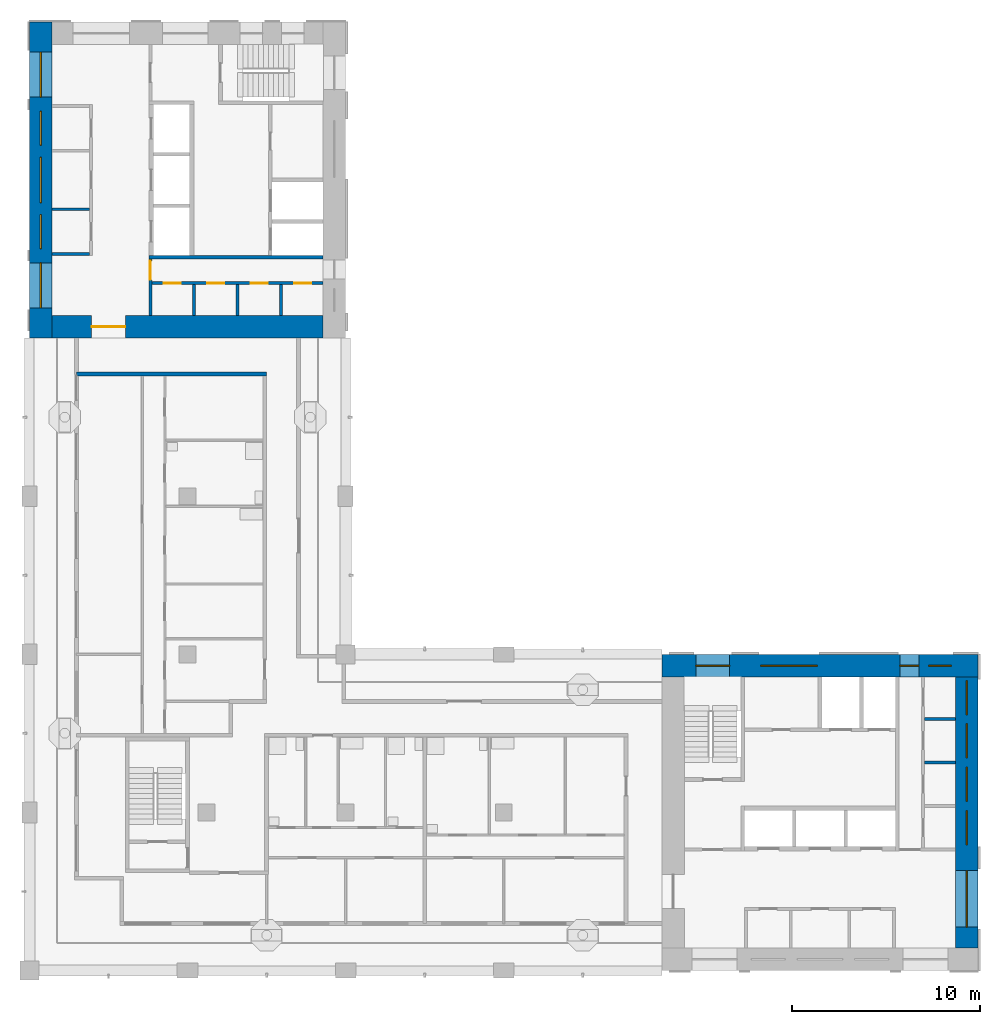
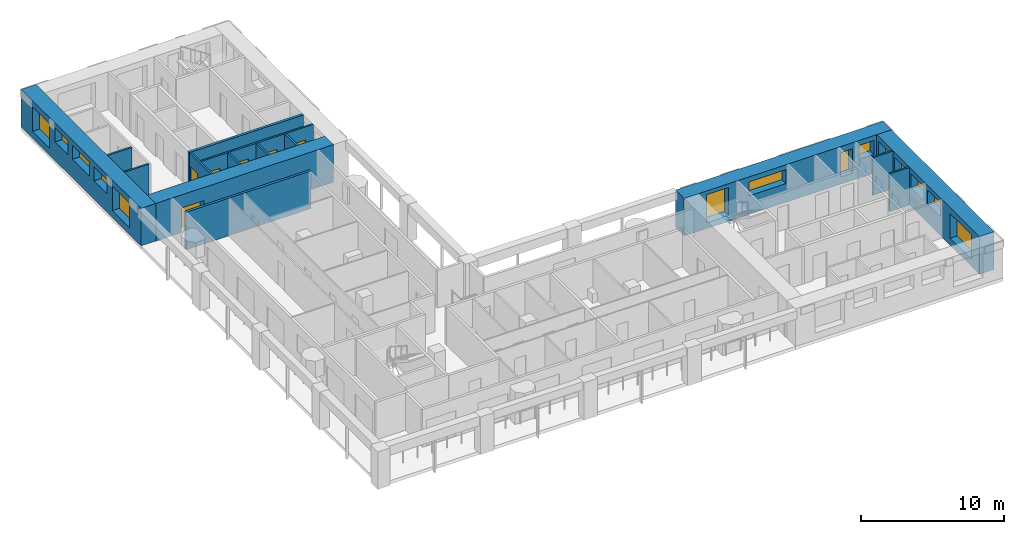
# One storey, part 5 of 12: 15 walls, 14 windows, 6 doors, 20 openings.
"""IFC4 building model written with IfcOpenShell, lengths in metres."""

from ifc_helpers import new_model, si_unit, direction, frame, frame_2d, origin, place, context, subcontext, project, spatial, rectangle, extrude, material, layer, layer_set, type_object, element, fill, save


model = new_model("IFC4")

# Units and contexts
model_context = context("Model", 3, precision=1e-05, world=origin(), true_north=direction((0.0, 1.0)))
body_context = subcontext(model_context, "Body", "Model", "MODEL_VIEW")
ifc_project = project(units=[si_unit("LENGTHUNIT", "METRE"), si_unit("AREAUNIT", "SQUARE_METRE"), si_unit("VOLUMEUNIT", "CUBIC_METRE"), si_unit("PLANEANGLEUNIT", "RADIAN"), si_unit("MASSUNIT", "GRAM", prefix="KILO")], contexts=[model_context])

# Site, building, storey
site_placement = place(None, origin())
site = spatial("IfcSite", under=ifc_project, at=site_placement, CompositionType="ELEMENT")
building_placement = place(site_placement, origin())
building = spatial("IfcBuilding", under=site, at=building_placement, Name="Vermilion Gate Residences", CompositionType="ELEMENT")
storey_placement = place(building_placement, frame((0.0, 0.0, 238.699951171875)))
storey = spatial("IfcBuildingStorey", under=building, at=storey_placement, Name="L62", CompositionType="ELEMENT", Elevation=238.699951171875)

# Walls
ifc_material_1 = material(Name="Masonry blockwork", Category="masonry")
ifc_layer_1 = layer(ifc_material_1, 0.14990234375)
ifc_layer_set_1 = layer_set([ifc_layer_1], Name="BLOCKWORK PARTITION 150 EI 120")
wall_type_1 = type_object("IfcWallType", Name="BLOCKWORK PARTITION 150 EI 120", PredefinedType="PARTITIONING", material=ifc_layer_set_1)
for number, where, z_axis, x_axis, name in (
    (1, (55.949951171875, 19.449951171875, 0.0), (0.0, 0.0, 1.0), (1.0, 0.0, 0.0), "Core room partition A62-ES-P1"),
    (2, (55.949951171875, 21.762451171875, 0.0), (0.0, 0.0, 1.0), (1.0, 0.0, 0.0), "Core room partition A62-ES-P2"),
):
    element("IfcWall", number, at=place(storey_placement, frame(where, z_axis=z_axis, x_axis=x_axis)), inside=storey, type_object=wall_type_1, Name=name, PredefinedType="PARTITIONING", context=body_context, shape_type="SweptSolid", body=[
        extrude(rectangle(XDim=1.650146484375, YDim=0.14990234375, at=frame_2d((0.8251953125, 0.0))), origin(), (0.0, 0.0, 1.0), 3.219970703125),
    ])
for number, where, z_axis, x_axis, name in (
    (3, (9.60009765625, 46.47509765625, 0.0), (0.0, 0.0, 1.0), (1.0, 0.0, 0.0), "Core room partition B62-RW-E"),
    (4, (9.60009765625, 48.844970703125, 0.0), (0.0, 0.0, 1.0), (1.0, 0.0, 0.0), "Core room partition B62-SR-P1"),
):
    element("IfcWall", number, at=place(storey_placement, frame(where, z_axis=z_axis, x_axis=x_axis)), inside=storey, type_object=wall_type_1, Name=name, PredefinedType="PARTITIONING", context=body_context, shape_type="SweptSolid", body=[
        extrude(rectangle(XDim=2.0, YDim=0.14990234375, at=frame_2d((1.0, 0.0))), origin(), (0.0, 0.0, 1.0), 3.219970703125),
    ])

# Wall, opening, door
wall_1_placement = place(storey_placement, frame((14.824951171875, 46.199951171875, 0.0), z_axis=(0.0, 0.0, 1.0), x_axis=(0.0, -1.0, 0.0)))
wall_1 = element("IfcWall", 5, at=wall_1_placement, inside=storey, type_object=wall_type_1, Name="Core room partition B62-ES-S", PredefinedType="PARTITIONING", context=body_context, shape_type="SweptSolid", body=[
    extrude(rectangle(XDim=3.0, YDim=0.14990234375, at=frame_2d((1.5, 0.0))), origin(), (0.0, 0.0, 1.0), 3.219970703125),
])
opening_1_placement = place(wall_1_placement, frame((0.10009765625, 0.0, 0.0)))
opening_1 = element("IfcOpeningElement", 6, at=opening_1_placement, cuts=wall_1, Name="Opening DK62113", PredefinedType="OPENING", context=body_context, shape_type="SweptSolid", body=[
    extrude(rectangle(XDim=1.0, YDim=2.10009765625, at=frame_2d((0.5, 1.050048828125))), frame((0.0, 0.0849609375, 0.0), z_axis=(0.0, -1.0, 0.0), x_axis=(1.0, 0.0, 0.0)), (0.0, 0.0, 1.0), 0.169921875),
])
ifc_material_2 = material(Name="Steel", Category="steel")
door_type_1 = type_object("IfcDoorType", Name="FIRE DOOR FD60 1000 X 2100", OperationType="SINGLE_SWING_LEFT", PredefinedType="DOOR", material=ifc_material_2)
door_1_placement = place(opening_1_placement, frame((1.0, 0.0, 0.0), z_axis=(0.0, 0.0, 1.0), x_axis=(-1.0, 0.0, 0.0)))
door_1 = element("IfcDoor", 7, at=door_1_placement, inside=storey, type_object=door_type_1, Name="Service corridor door B62", OperationType="SINGLE_SWING_LEFT", OverallHeight=2.10009765625, OverallWidth=1.0, PredefinedType="DOOR", context=body_context, shape_type="SweptSolid", body=[
    extrude(rectangle(XDim=1.0, YDim=2.10009765625, at=frame_2d((0.5, 1.050048828125))), frame((0.0, 0.02490234375, 0.0), z_axis=(0.0, -1.0, 0.0), x_axis=(1.0, 0.0, 0.0)), (0.0, 0.0, 1.0), 0.050048828125),
])
fill(opening_1, door_1)

# Walls
for number, where, z_axis, x_axis, name in (
    (8, (17.137451171875, 44.85009765625, 0.0), (0.0, 0.0, 1.0), (0.0, -1.0, 0.0), "Core room partition B62-ES-P0"),
    (9, (19.449951171875, 44.85009765625, 0.0), (0.0, 0.0, 1.0), (0.0, -1.0, 0.0), "Core room partition B62-ES-P1"),
    (10, (21.762451171875, 44.85009765625, 0.0), (0.0, 0.0, 1.0), (0.0, -1.0, 0.0), "Core room partition B62-ES-P2"),
):
    element("IfcWall", number, at=place(storey_placement, frame(where, z_axis=z_axis, x_axis=x_axis)), inside=storey, type_object=wall_type_1, Name=name, PredefinedType="PARTITIONING", context=body_context, shape_type="SweptSolid", body=[
        extrude(rectangle(XDim=1.650146484375, YDim=0.14990234375, at=frame_2d((0.8251953125, 0.0))), origin(), (0.0, 0.0, 1.0), 3.219970703125),
    ])

# Wall, openings, doors
wall_2_placement = place(storey_placement, frame((14.89990234375, 44.925048828125, 0.0), z_axis=(0.0, 0.0, 1.0), x_axis=(1.0, 0.0, 0.0)))
wall_2 = element("IfcWall", 11, at=wall_2_placement, inside=storey, type_object=wall_type_1, Name="Core room partition B62-ES-W", PredefinedType="PARTITIONING", context=body_context, shape_type="SweptSolid", body=[
    extrude(rectangle(XDim=9.10009765625, YDim=0.14990234375, at=frame_2d((4.550048828125, 0.0))), origin(), (0.0, 0.0, 1.0), 3.219970703125),
])
opening_2_placement = place(wall_2_placement, frame((0.63134765625, 0.0, 0.0)))
opening_2 = element("IfcOpeningElement", 12, at=opening_2_placement, cuts=wall_2, Name="Opening DK62114", PredefinedType="OPENING", context=body_context, shape_type="SweptSolid", body=[
    extrude(rectangle(XDim=0.89990234375, YDim=2.10009765625, at=frame_2d((0.449951171875, 1.050048828125))), frame((0.0, 0.0849609375, 0.0), z_axis=(0.0, -1.0, 0.0), x_axis=(1.0, 0.0, 0.0)), (0.0, 0.0, 1.0), 0.169921875),
])
opening_3_placement = place(wall_2_placement, frame((2.94384765625, 0.0, 0.0)))
opening_3 = element("IfcOpeningElement", 13, at=opening_3_placement, cuts=wall_2, Name="Opening DK62115", PredefinedType="OPENING", context=body_context, shape_type="SweptSolid", body=[
    extrude(rectangle(XDim=0.89990234375, YDim=2.10009765625, at=frame_2d((0.449951171875, 1.050048828125))), frame((0.0, 0.0849609375, 0.0), z_axis=(0.0, -1.0, 0.0), x_axis=(1.0, 0.0, 0.0)), (0.0, 0.0, 1.0), 0.169921875),
])
opening_4_placement = place(wall_2_placement, frame((5.25634765625, 0.0, 0.0)))
opening_4 = element("IfcOpeningElement", 14, at=opening_4_placement, cuts=wall_2, Name="Opening DK62116", PredefinedType="OPENING", context=body_context, shape_type="SweptSolid", body=[
    extrude(rectangle(XDim=0.89990234375, YDim=2.10009765625, at=frame_2d((0.449951171875, 1.050048828125))), frame((0.0, 0.0849609375, 0.0), z_axis=(0.0, -1.0, 0.0), x_axis=(1.0, 0.0, 0.0)), (0.0, 0.0, 1.0), 0.169921875),
])
opening_5_placement = place(wall_2_placement, frame((7.56884765625, 0.0, 0.0)))
opening_5 = element("IfcOpeningElement", 15, at=opening_5_placement, cuts=wall_2, Name="Opening DK62117", PredefinedType="OPENING", context=body_context, shape_type="SweptSolid", body=[
    extrude(rectangle(XDim=0.89990234375, YDim=2.10009765625, at=frame_2d((0.449951171875, 1.050048828125))), frame((0.0, 0.0849609375, 0.0), z_axis=(0.0, -1.0, 0.0), x_axis=(1.0, 0.0, 0.0)), (0.0, 0.0, 1.0), 0.169921875),
])
ifc_material_3 = material(Name="Steel", Category="steel")
door_type_2 = type_object("IfcDoorType", Name="SERVICE ROOM DOOR FD60 900 X 2100", OperationType="SINGLE_SWING_LEFT", PredefinedType="DOOR", material=ifc_material_3)
door_2_placement = place(opening_2_placement, frame((0.89990234375, 0.0, 0.0), z_axis=(0.0, 0.0, 1.0), x_axis=(-1.0, 0.0, 0.0)))
door_2 = element("IfcDoor", 16, at=door_2_placement, inside=storey, type_object=door_type_2, Name="Storage room B62", OperationType="SINGLE_SWING_RIGHT", OverallHeight=2.10009765625, OverallWidth=0.89990234375, PredefinedType="DOOR", context=body_context, shape_type="SweptSolid", body=[
    extrude(rectangle(XDim=0.89990234375, YDim=2.10009765625, at=frame_2d((0.449951171875, 1.050048828125))), frame((0.0, 0.02490234375, 0.0), z_axis=(0.0, -1.0, 0.0), x_axis=(1.0, 0.0, 0.0)), (0.0, 0.0, 1.0), 0.050048828125),
])
fill(opening_2, door_2)
door_3_placement = place(opening_3_placement, frame((0.89990234375, 0.0, 0.0), z_axis=(0.0, 0.0, 1.0), x_axis=(-1.0, 0.0, 0.0)))
door_3 = element("IfcDoor", 17, at=door_3_placement, inside=storey, type_object=door_type_2, Name="Refuse room B62", OperationType="SINGLE_SWING_RIGHT", OverallHeight=2.10009765625, OverallWidth=0.89990234375, PredefinedType="DOOR", context=body_context, shape_type="SweptSolid", body=[
    extrude(rectangle(XDim=0.89990234375, YDim=2.10009765625, at=frame_2d((0.449951171875, 1.050048828125))), frame((0.0, 0.02490234375, 0.0), z_axis=(0.0, -1.0, 0.0), x_axis=(1.0, 0.0, 0.0)), (0.0, 0.0, 1.0), 0.050048828125),
])
fill(opening_3, door_3)
door_4_placement = place(opening_4_placement, frame((0.89990234375, 0.0, 0.0), z_axis=(0.0, 0.0, 1.0), x_axis=(-1.0, 0.0, 0.0)))
door_4 = element("IfcDoor", 18, at=door_4_placement, inside=storey, type_object=door_type_2, Name="Parcel room B62", OperationType="SINGLE_SWING_RIGHT", OverallHeight=2.10009765625, OverallWidth=0.89990234375, PredefinedType="DOOR", context=body_context, shape_type="SweptSolid", body=[
    extrude(rectangle(XDim=0.89990234375, YDim=2.10009765625, at=frame_2d((0.449951171875, 1.050048828125))), frame((0.0, 0.02490234375, 0.0), z_axis=(0.0, -1.0, 0.0), x_axis=(1.0, 0.0, 0.0)), (0.0, 0.0, 1.0), 0.050048828125),
])
fill(opening_4, door_4)
door_5_placement = place(opening_5_placement, frame((0.89990234375, 0.0, 0.0), z_axis=(0.0, 0.0, 1.0), x_axis=(-1.0, 0.0, 0.0)))
door_5 = element("IfcDoor", 19, at=door_5_placement, inside=storey, type_object=door_type_2, Name="Cleaner's store B62", OperationType="SINGLE_SWING_RIGHT", OverallHeight=2.10009765625, OverallWidth=0.89990234375, PredefinedType="DOOR", context=body_context, shape_type="SweptSolid", body=[
    extrude(rectangle(XDim=0.89990234375, YDim=2.10009765625, at=frame_2d((0.449951171875, 1.050048828125))), frame((0.0, 0.02490234375, 0.0), z_axis=(0.0, -1.0, 0.0), x_axis=(1.0, 0.0, 0.0)), (0.0, 0.0, 1.0), 0.050048828125),
])
fill(opening_5, door_5)

# Walls
ifc_material_4 = material(Name="Fire-rated plasterboard on steel studs", Category="steel")
ifc_layer_2 = layer(ifc_material_4, 0.199951171875)
ifc_layer_set_2 = layer_set([ifc_layer_2], Name="PARTY WALL 200 EI 120")
wall_type_2 = type_object("IfcWallType", Name="PARTY WALL 200 EI 120", PredefinedType="PARTITIONING", material=ifc_layer_set_2)
wall_3_placement = place(storey_placement, frame((10.89990234375, 40.10009765625, 0.0), z_axis=(0.0, 0.0, 1.0), x_axis=(1.0, 0.0, 0.0)))
element("IfcWall", 20, at=wall_3_placement, inside=storey, type_object=wall_type_2, Name="Party and corridor wall", PredefinedType="PARTITIONING", context=body_context, shape_type="SweptSolid", body=[
    extrude(rectangle(XDim=10.10009765625, YDim=0.199951171875, at=frame_2d((5.050048828125, 0.0))), origin(), (0.0, 0.0, 1.0), 3.219970703125),
])
ifc_material_5 = material(Name="Concrete C60", Category="concrete")
ifc_layer_3 = layer(ifc_material_5, 0.199951171875)
ifc_layer_set_3 = layer_set([ifc_layer_3], Name="RC CORE INTERNAL WALL 200 C60")
wall_type_3 = type_object("IfcWallType", Name="RC CORE INTERNAL WALL 200 C60", PredefinedType="SHEAR", material=ifc_layer_set_3)
wall_4_placement = place(storey_placement, frame((14.75, 46.300048828125, 0.0), z_axis=(0.0, 0.0, 1.0), x_axis=(1.0, 0.0, 0.0)))
element("IfcWall", 21, at=wall_4_placement, inside=storey, type_object=wall_type_3, Name="Core internal wall B62-EDIV", PredefinedType="SHEAR", context=body_context, shape_type="SweptSolid", body=[
    extrude(rectangle(XDim=9.25, YDim=0.199951171875, at=frame_2d((4.625, 0.0))), origin(), (0.0, 0.0, 1.0), 3.219970703125),
])

# Wall, opening, door
ifc_material_6 = material(Name="Concrete C50", Category="concrete")
ifc_layer_4 = layer(ifc_material_6, 1.199951171875)
ifc_layer_set_4 = layer_set([ifc_layer_4], Name="RC CORE WALL 1200 C50")
wall_type_4 = type_object("IfcWallType", Name="RC CORE WALL 1200 C50", PredefinedType="SHEAR", material=ifc_layer_set_4)
wall_5_placement = place(storey_placement, frame((9.60009765625, 42.60009765625, 0.0), z_axis=(0.0, 0.0, 1.0), x_axis=(1.0, 0.0, 0.0)))
wall_5 = element("IfcWall", 22, at=wall_5_placement, inside=storey, type_object=wall_type_4, Name="Core wall B62-OUT-BK", PredefinedType="SHEAR", context=body_context, shape_type="SweptSolid", body=[
    extrude(rectangle(XDim=14.39990234375, YDim=1.199951171875, at=frame_2d((7.199951171875, 0.0))), origin(), (0.0, 0.0, 1.0), 3.219970703125),
])
opening_6_placement = place(wall_5_placement, frame((2.10009765625, 0.0, 0.0)))
opening_6 = element("IfcOpeningElement", 23, at=opening_6_placement, cuts=wall_5, Name="Opening DK62101", PredefinedType="OPENING", context=body_context, shape_type="SweptSolid", body=[
    extrude(rectangle(XDim=1.800048828125, YDim=2.10009765625, at=frame_2d((0.89990234375, 1.050048828125))), frame((0.0, 0.60986328125, 0.0), z_axis=(0.0, -1.0, 0.0), x_axis=(1.0, 0.0, 0.0)), (0.0, 0.0, 1.0), 1.219970703125),
])
ifc_material_7 = material(Name="Steel", Category="steel")
door_type_3 = type_object("IfcDoorType", Name="CORE LOBBY DOOR FD60 1800 X 2100", OperationType="DOUBLE_DOOR_SINGLE_SWING", PredefinedType="DOOR", material=ifc_material_7)
door_6_placement = place(opening_6_placement, frame((1.800048828125, 0.0, 0.0), z_axis=(0.0, 0.0, 1.0), x_axis=(-1.0, 0.0, 0.0)))
door_6 = element("IfcDoor", 24, at=door_6_placement, inside=storey, type_object=door_type_3, Name="Core lobby door B62", OperationType="DOUBLE_DOOR_SINGLE_SWING", OverallHeight=2.10009765625, OverallWidth=1.800048828125, PredefinedType="DOOR", context=body_context, shape_type="SweptSolid", body=[
    extrude(rectangle(XDim=1.800048828125, YDim=2.10009765625, at=frame_2d((0.89990234375, 1.050048828125))), frame((0.0, 0.02490234375, 0.0), z_axis=(0.0, -1.0, 0.0), x_axis=(1.0, 0.0, 0.0)), (0.0, 0.0, 1.0), 0.050048828125),
])
fill(opening_6, door_6)

# Wall, openings, windows
ifc_material_8 = material(Name="Concrete C50 red-oxide pigmented", Category="concrete")
ifc_layer_5 = layer(ifc_material_8, 1.199951171875)
ifc_layer_set_5 = layer_set([ifc_layer_5], Name="RC CORE WALL 1200 C50 RED OXIDE")
wall_type_5 = type_object("IfcWallType", Name="RC CORE WALL 1200 C50 RED OXIDE", PredefinedType="SHEAR", material=ifc_layer_set_5)
wall_6_placement = place(storey_placement, frame((42.0, 24.60009765625, 0.0), z_axis=(0.0, 0.0, 1.0), x_axis=(1.0, 0.0, 0.0)))
wall_6 = element("IfcWall", 25, at=wall_6_placement, inside=storey, type_object=wall_type_5, Name="Core wall A62-OUT-B1", PredefinedType="SHEAR", context=body_context, shape_type="SweptSolid", body=[
    extrude(rectangle(XDim=16.800048828125, YDim=1.199951171875, at=frame_2d((8.39990234375, 0.0))), origin(), (0.0, 0.0, 1.0), 3.219970703125),
])
opening_7_placement = place(wall_6_placement, frame((1.800048828125, 0.0, 0.5)))
opening_7 = element("IfcOpeningElement", 26, at=opening_7_placement, cuts=wall_6, Name="Opening WKA6206", PredefinedType="OPENING", context=body_context, shape_type="SweptSolid", body=[
    extrude(rectangle(XDim=1.800048828125, YDim=2.39990234375, at=frame_2d((0.89990234375, 1.199951171875))), frame((0.0, 0.60986328125, 0.0), z_axis=(0.0, -1.0, 0.0), x_axis=(1.0, 0.0, 0.0)), (0.0, 0.0, 1.0), 1.219970703125),
])
opening_8_placement = place(wall_6_placement, frame((5.25, 0.0, 1.60009765625)))
opening_8 = element("IfcOpeningElement", 27, at=opening_8_placement, cuts=wall_6, Name="Opening WKA6207", PredefinedType="OPENING", context=body_context, shape_type="SweptSolid", body=[
    extrude(rectangle(XDim=3.0, YDim=1.199951171875, at=frame_2d((1.5, 0.60009765625))), frame((0.0, 0.60986328125, 0.0), z_axis=(0.0, -1.0, 0.0), x_axis=(1.0, 0.0, 0.0)), (0.0, 0.0, 1.0), 1.219970703125),
])
opening_9_placement = place(wall_6_placement, frame((12.64990234375, 0.0, 0.60009765625)))
opening_9 = element("IfcOpeningElement", 28, at=opening_9_placement, cuts=wall_6, Name="Opening WKA6208", PredefinedType="OPENING", context=body_context, shape_type="SweptSolid", body=[
    extrude(rectangle(XDim=1.0, YDim=2.10009765625, at=frame_2d((0.5, 1.050048828125))), frame((0.0, 0.60986328125, 0.0), z_axis=(0.0, -1.0, 0.0), x_axis=(1.0, 0.0, 0.0)), (0.0, 0.0, 1.0), 1.219970703125),
])
opening_10_placement = place(wall_6_placement, frame((14.175048828125, 0.0, 1.60009765625)))
opening_10 = element("IfcOpeningElement", 29, at=opening_10_placement, cuts=wall_6, Name="Opening WKA6209", PredefinedType="OPENING", context=body_context, shape_type="SweptSolid", body=[
    extrude(rectangle(XDim=1.199951171875, YDim=1.199951171875, at=frame_2d((0.60009765625, 0.60009765625))), frame((0.0, 0.60986328125, 0.0), z_axis=(0.0, -1.0, 0.0), x_axis=(1.0, 0.0, 0.0)), (0.0, 0.0, 1.0), 1.219970703125),
])
ifc_material_9 = material(Name="Aluminium and clear glass", Category="aluminium")
window_type_1 = type_object("IfcWindowType", Name="CORE CORRIDOR WINDOW 1000 X 2100", PartitioningType="SINGLE_PANEL", PredefinedType="WINDOW", material=ifc_material_9)
window_1_placement = place(opening_9_placement, origin())
window_1 = element("IfcWindow", 30, at=window_1_placement, inside=storey, type_object=window_type_1, Name="Core corridor window", OverallHeight=2.10009765625, OverallWidth=1.0, PartitioningType="SINGLE_PANEL", PredefinedType="WINDOW", context=body_context, shape_type="SweptSolid", body=[
    extrude(rectangle(XDim=1.0, YDim=2.10009765625, at=frame_2d((0.5, 1.050048828125))), frame((0.0, 0.030029296875, 0.0), z_axis=(0.0, -1.0, 0.0), x_axis=(1.0, 0.0, 0.0)), (0.0, 0.0, 1.0), 0.06005859375),
])
fill(opening_9, window_1)
ifc_material_10 = material(Name="Aluminium frame with louvre blades", Category="aluminium")
window_type_2 = type_object("IfcWindowType", Name="CORE LOUVRE 1200 X 1200", PartitioningType="SINGLE_PANEL", PredefinedType="WINDOW", material=ifc_material_10)
window_2_placement = place(opening_10_placement, origin())
window_2 = element("IfcWindow", 31, at=window_2_placement, inside=storey, type_object=window_type_2, Name="Core louvre", OverallHeight=1.199951171875, OverallWidth=1.199951171875, PartitioningType="SINGLE_PANEL", PredefinedType="WINDOW", context=body_context, shape_type="SweptSolid", body=[
    extrude(rectangle(XDim=1.199951171875, YDim=1.199951171875, at=frame_2d((0.60009765625, 0.60009765625))), frame((0.0, 0.030029296875, 0.0), z_axis=(0.0, -1.0, 0.0), x_axis=(1.0, 0.0, 0.0)), (0.0, 0.0, 1.0), 0.06005859375),
])
fill(opening_10, window_2)
ifc_material_11 = material(Name="Aluminium frame with louvre blades", Category="aluminium")
window_type_3 = type_object("IfcWindowType", Name="CORE LOUVRE 3000 X 1200", PartitioningType="SINGLE_PANEL", PredefinedType="WINDOW", material=ifc_material_11)
window_3_placement = place(opening_8_placement, origin())
window_3 = element("IfcWindow", 32, at=window_3_placement, inside=storey, type_object=window_type_3, Name="Core louvre", OverallHeight=1.199951171875, OverallWidth=3.0, PartitioningType="SINGLE_PANEL", PredefinedType="WINDOW", context=body_context, shape_type="SweptSolid", body=[
    extrude(rectangle(XDim=3.0, YDim=1.199951171875, at=frame_2d((1.5, 0.60009765625))), frame((0.0, 0.030029296875, 0.0), z_axis=(0.0, -1.0, 0.0), x_axis=(1.0, 0.0, 0.0)), (0.0, 0.0, 1.0), 0.06005859375),
])
fill(opening_8, window_3)
ifc_material_12 = material(Name="Aluminium and clear glass", Category="aluminium")
window_type_4 = type_object("IfcWindowType", Name="CORE STAIR WINDOW 1800 X 2400", PartitioningType="SINGLE_PANEL", PredefinedType="WINDOW", material=ifc_material_12)
window_4_placement = place(opening_7_placement, origin())
window_4 = element("IfcWindow", 33, at=window_4_placement, inside=storey, type_object=window_type_4, Name="Core stair window", OverallHeight=2.39990234375, OverallWidth=1.800048828125, PartitioningType="SINGLE_PANEL", PredefinedType="WINDOW", context=body_context, shape_type="SweptSolid", body=[
    extrude(rectangle(XDim=1.800048828125, YDim=2.39990234375, at=frame_2d((0.89990234375, 1.199951171875))), frame((0.0, 0.030029296875, 0.0), z_axis=(0.0, -1.0, 0.0), x_axis=(1.0, 0.0, 0.0)), (0.0, 0.0, 1.0), 0.06005859375),
])
fill(opening_7, window_4)

wall_7_placement = place(storey_placement, frame((58.199951171875, 9.60009765625, 0.0), z_axis=(0.0, 0.0, 1.0), x_axis=(0.0, 1.0, 0.0)))
wall_7 = element("IfcWall", 34, at=wall_7_placement, inside=storey, type_object=wall_type_5, Name="Core wall A62-OUT-BK", PredefinedType="SHEAR", context=body_context, shape_type="SweptSolid", body=[
    extrude(rectangle(XDim=14.39990234375, YDim=1.199951171875, at=frame_2d((7.199951171875, 0.0))), origin(), (0.0, 0.0, 1.0), 3.219970703125),
])
opening_11_placement = place(wall_7_placement, frame((1.10498046875, 0.0, 0.60009765625)))
opening_11 = element("IfcOpeningElement", 35, at=opening_11_placement, cuts=wall_7, Name="Opening WKA6210", PredefinedType="OPENING", context=body_context, shape_type="SweptSolid", body=[
    extrude(rectangle(XDim=3.0, YDim=2.10009765625, at=frame_2d((1.5, 1.050048828125))), frame((0.0, 0.60986328125, 0.0), z_axis=(0.0, -1.0, 0.0), x_axis=(1.0, 0.0, 0.0)), (0.0, 0.0, 1.0), 1.219970703125),
])
opening_12_placement = place(wall_7_placement, frame((5.481201171875, 0.0, 1.60009765625)))
opening_12 = element("IfcOpeningElement", 36, at=opening_12_placement, cuts=wall_7, Name="Opening WKA6211", PredefinedType="OPENING", context=body_context, shape_type="SweptSolid", body=[
    extrude(rectangle(XDim=1.800048828125, YDim=1.199951171875, at=frame_2d((0.89990234375, 0.60009765625))), frame((0.0, 0.60986328125, 0.0), z_axis=(0.0, -1.0, 0.0), x_axis=(1.0, 0.0, 0.0)), (0.0, 0.0, 1.0), 1.219970703125),
])
opening_13_placement = place(wall_7_placement, frame((7.793701171875, 0.0, 1.60009765625)))
opening_13 = element("IfcOpeningElement", 37, at=opening_13_placement, cuts=wall_7, Name="Opening WKA6212", PredefinedType="OPENING", context=body_context, shape_type="SweptSolid", body=[
    extrude(rectangle(XDim=1.800048828125, YDim=1.199951171875, at=frame_2d((0.89990234375, 0.60009765625))), frame((0.0, 0.60986328125, 0.0), z_axis=(0.0, -1.0, 0.0), x_axis=(1.0, 0.0, 0.0)), (0.0, 0.0, 1.0), 1.219970703125),
])
opening_14_placement = place(wall_7_placement, frame((10.106201171875, 0.0, 1.60009765625)))
opening_14 = element("IfcOpeningElement", 38, at=opening_14_placement, cuts=wall_7, Name="Opening WKA6213", PredefinedType="OPENING", context=body_context, shape_type="SweptSolid", body=[
    extrude(rectangle(XDim=1.800048828125, YDim=1.199951171875, at=frame_2d((0.89990234375, 0.60009765625))), frame((0.0, 0.60986328125, 0.0), z_axis=(0.0, -1.0, 0.0), x_axis=(1.0, 0.0, 0.0)), (0.0, 0.0, 1.0), 1.219970703125),
])
opening_15_placement = place(wall_7_placement, frame((12.388916015625, 0.0, 1.60009765625)))
opening_15 = element("IfcOpeningElement", 39, at=opening_15_placement, cuts=wall_7, Name="Opening WKA6214", PredefinedType="OPENING", context=body_context, shape_type="SweptSolid", body=[
    extrude(rectangle(XDim=1.800048828125, YDim=1.199951171875, at=frame_2d((0.89990234375, 0.60009765625))), frame((0.0, 0.60986328125, 0.0), z_axis=(0.0, -1.0, 0.0), x_axis=(1.0, 0.0, 0.0)), (0.0, 0.0, 1.0), 1.219970703125),
])
ifc_material_13 = material(Name="Aluminium and clear glass", Category="aluminium")
window_type_5 = type_object("IfcWindowType", Name="CORE LOBBY WINDOW 3000 X 2100", PartitioningType="SINGLE_PANEL", PredefinedType="WINDOW", material=ifc_material_13)
window_5_placement = place(opening_11_placement, origin())
window_5 = element("IfcWindow", 40, at=window_5_placement, inside=storey, type_object=window_type_5, Name="Core lobby window", OverallHeight=2.10009765625, OverallWidth=3.0, PartitioningType="SINGLE_PANEL", PredefinedType="WINDOW", context=body_context, shape_type="SweptSolid", body=[
    extrude(rectangle(XDim=3.0, YDim=2.10009765625, at=frame_2d((1.5, 1.050048828125))), frame((0.0, 0.030029296875, 0.0), z_axis=(0.0, -1.0, 0.0), x_axis=(1.0, 0.0, 0.0)), (0.0, 0.0, 1.0), 0.06005859375),
])
fill(opening_11, window_5)
ifc_material_14 = material(Name="Aluminium frame with louvre blades", Category="aluminium")
window_type_6 = type_object("IfcWindowType", Name="CORE LOUVRE 1800 X 1200", PartitioningType="SINGLE_PANEL", PredefinedType="WINDOW", material=ifc_material_14)
window_6_placement = place(opening_12_placement, origin())
window_6 = element("IfcWindow", 41, at=window_6_placement, inside=storey, type_object=window_type_6, Name="Core louvre", OverallHeight=1.199951171875, OverallWidth=1.800048828125, PartitioningType="SINGLE_PANEL", PredefinedType="WINDOW", context=body_context, shape_type="SweptSolid", body=[
    extrude(rectangle(XDim=1.800048828125, YDim=1.199951171875, at=frame_2d((0.89990234375, 0.60009765625))), frame((0.0, 0.030029296875, 0.0), z_axis=(0.0, -1.0, 0.0), x_axis=(1.0, 0.0, 0.0)), (0.0, 0.0, 1.0), 0.06005859375),
])
fill(opening_12, window_6)
window_7_placement = place(opening_13_placement, origin())
window_7 = element("IfcWindow", 42, at=window_7_placement, inside=storey, type_object=window_type_6, Name="Core louvre", OverallHeight=1.199951171875, OverallWidth=1.800048828125, PartitioningType="SINGLE_PANEL", PredefinedType="WINDOW", context=body_context, shape_type="SweptSolid", body=[
    extrude(rectangle(XDim=1.800048828125, YDim=1.199951171875, at=frame_2d((0.89990234375, 0.60009765625))), frame((0.0, 0.030029296875, 0.0), z_axis=(0.0, -1.0, 0.0), x_axis=(1.0, 0.0, 0.0)), (0.0, 0.0, 1.0), 0.06005859375),
])
fill(opening_13, window_7)
window_8_placement = place(opening_14_placement, origin())
window_8 = element("IfcWindow", 43, at=window_8_placement, inside=storey, type_object=window_type_6, Name="Core louvre", OverallHeight=1.199951171875, OverallWidth=1.800048828125, PartitioningType="SINGLE_PANEL", PredefinedType="WINDOW", context=body_context, shape_type="SweptSolid", body=[
    extrude(rectangle(XDim=1.800048828125, YDim=1.199951171875, at=frame_2d((0.89990234375, 0.60009765625))), frame((0.0, 0.030029296875, 0.0), z_axis=(0.0, -1.0, 0.0), x_axis=(1.0, 0.0, 0.0)), (0.0, 0.0, 1.0), 0.06005859375),
])
fill(opening_14, window_8)
window_9_placement = place(opening_15_placement, origin())
window_9 = element("IfcWindow", 44, at=window_9_placement, inside=storey, type_object=window_type_6, Name="Core louvre", OverallHeight=1.199951171875, OverallWidth=1.800048828125, PartitioningType="SINGLE_PANEL", PredefinedType="WINDOW", context=body_context, shape_type="SweptSolid", body=[
    extrude(rectangle(XDim=1.800048828125, YDim=1.199951171875, at=frame_2d((0.89990234375, 0.60009765625))), frame((0.0, 0.030029296875, 0.0), z_axis=(0.0, -1.0, 0.0), x_axis=(1.0, 0.0, 0.0)), (0.0, 0.0, 1.0), 0.06005859375),
])
fill(opening_15, window_9)

wall_8_placement = place(storey_placement, frame((9.0, 58.800048828125, 0.0), z_axis=(0.0, 0.0, 1.0), x_axis=(0.0, -1.0, 0.0)))
wall_8 = element("IfcWall", 45, at=wall_8_placement, inside=storey, type_object=wall_type_5, Name="Core wall B62-OUT-B0", PredefinedType="SHEAR", context=body_context, shape_type="SweptSolid", body=[
    extrude(rectangle(XDim=16.800048828125, YDim=1.199951171875, at=frame_2d((8.39990234375, 0.0))), origin(), (0.0, 0.0, 1.0), 3.219970703125),
])
opening_16_placement = place(wall_8_placement, frame((1.60009765625, 0.0, 0.60009765625)))
opening_16 = element("IfcOpeningElement", 46, at=opening_16_placement, cuts=wall_8, Name="Opening WKB6201", PredefinedType="OPENING", context=body_context, shape_type="SweptSolid", body=[
    extrude(rectangle(XDim=2.39990234375, YDim=2.10009765625, at=frame_2d((1.199951171875, 1.050048828125))), frame((0.0, 0.60986328125, 0.0), z_axis=(0.0, -1.0, 0.0), x_axis=(1.0, 0.0, 0.0)), (0.0, 0.0, 1.0), 1.219970703125),
])
opening_17_placement = place(wall_8_placement, frame((4.760009765625, 0.0, 1.60009765625)))
opening_17 = element("IfcOpeningElement", 47, at=opening_17_placement, cuts=wall_8, Name="Opening WKB6202", PredefinedType="OPENING", context=body_context, shape_type="SweptSolid", body=[
    extrude(rectangle(XDim=1.800048828125, YDim=1.199951171875, at=frame_2d((0.89990234375, 0.60009765625))), frame((0.0, 0.60986328125, 0.0), z_axis=(0.0, -1.0, 0.0), x_axis=(1.0, 0.0, 0.0)), (0.0, 0.0, 1.0), 1.219970703125),
])
opening_18_placement = place(wall_8_placement, frame((7.199951171875, 0.0, 1.60009765625)))
opening_18 = element("IfcOpeningElement", 48, at=opening_18_placement, cuts=wall_8, Name="Opening WKB6203", PredefinedType="OPENING", context=body_context, shape_type="SweptSolid", body=[
    extrude(rectangle(XDim=2.39990234375, YDim=1.199951171875, at=frame_2d((1.199951171875, 0.60009765625))), frame((0.0, 0.60986328125, 0.0), z_axis=(0.0, -1.0, 0.0), x_axis=(1.0, 0.0, 0.0)), (0.0, 0.0, 1.0), 1.219970703125),
])
opening_19_placement = place(wall_8_placement, frame((10.239990234375, 0.0, 1.60009765625)))
opening_19 = element("IfcOpeningElement", 49, at=opening_19_placement, cuts=wall_8, Name="Opening WKB6204", PredefinedType="OPENING", context=body_context, shape_type="SweptSolid", body=[
    extrude(rectangle(XDim=1.800048828125, YDim=1.199951171875, at=frame_2d((0.89990234375, 0.60009765625))), frame((0.0, 0.60986328125, 0.0), z_axis=(0.0, -1.0, 0.0), x_axis=(1.0, 0.0, 0.0)), (0.0, 0.0, 1.0), 1.219970703125),
])
opening_20_placement = place(wall_8_placement, frame((12.800048828125, 0.0, 0.60009765625)))
opening_20 = element("IfcOpeningElement", 50, at=opening_20_placement, cuts=wall_8, Name="Opening WKB6205", PredefinedType="OPENING", context=body_context, shape_type="SweptSolid", body=[
    extrude(rectangle(XDim=2.39990234375, YDim=2.10009765625, at=frame_2d((1.199951171875, 1.050048828125))), frame((0.0, 0.60986328125, 0.0), z_axis=(0.0, -1.0, 0.0), x_axis=(1.0, 0.0, 0.0)), (0.0, 0.0, 1.0), 1.219970703125),
])
ifc_material_15 = material(Name="Aluminium and clear glass", Category="aluminium")
window_type_7 = type_object("IfcWindowType", Name="CORE LOBBY WINDOW 2400 X 2100", PartitioningType="SINGLE_PANEL", PredefinedType="WINDOW", material=ifc_material_15)
window_10_placement = place(opening_16_placement, origin())
window_10 = element("IfcWindow", 51, at=window_10_placement, inside=storey, type_object=window_type_7, Name="Core lobby window", OverallHeight=2.10009765625, OverallWidth=2.39990234375, PartitioningType="SINGLE_PANEL", PredefinedType="WINDOW", context=body_context, shape_type="SweptSolid", body=[
    extrude(rectangle(XDim=2.39990234375, YDim=2.10009765625, at=frame_2d((1.199951171875, 1.050048828125))), frame((0.0, 0.030029296875, 0.0), z_axis=(0.0, -1.0, 0.0), x_axis=(1.0, 0.0, 0.0)), (0.0, 0.0, 1.0), 0.06005859375),
])
fill(opening_16, window_10)
window_11_placement = place(opening_20_placement, origin())
window_11 = element("IfcWindow", 52, at=window_11_placement, inside=storey, type_object=window_type_7, Name="Core lobby window", OverallHeight=2.10009765625, OverallWidth=2.39990234375, PartitioningType="SINGLE_PANEL", PredefinedType="WINDOW", context=body_context, shape_type="SweptSolid", body=[
    extrude(rectangle(XDim=2.39990234375, YDim=2.10009765625, at=frame_2d((1.199951171875, 1.050048828125))), frame((0.0, 0.030029296875, 0.0), z_axis=(0.0, -1.0, 0.0), x_axis=(1.0, 0.0, 0.0)), (0.0, 0.0, 1.0), 0.06005859375),
])
fill(opening_20, window_11)
window_12_placement = place(opening_17_placement, origin())
window_12 = element("IfcWindow", 53, at=window_12_placement, inside=storey, type_object=window_type_6, Name="Core louvre", OverallHeight=1.199951171875, OverallWidth=1.800048828125, PartitioningType="SINGLE_PANEL", PredefinedType="WINDOW", context=body_context, shape_type="SweptSolid", body=[
    extrude(rectangle(XDim=1.800048828125, YDim=1.199951171875, at=frame_2d((0.89990234375, 0.60009765625))), frame((0.0, 0.030029296875, 0.0), z_axis=(0.0, -1.0, 0.0), x_axis=(1.0, 0.0, 0.0)), (0.0, 0.0, 1.0), 0.06005859375),
])
fill(opening_17, window_12)
window_13_placement = place(opening_19_placement, origin())
window_13 = element("IfcWindow", 54, at=window_13_placement, inside=storey, type_object=window_type_6, Name="Core louvre", OverallHeight=1.199951171875, OverallWidth=1.800048828125, PartitioningType="SINGLE_PANEL", PredefinedType="WINDOW", context=body_context, shape_type="SweptSolid", body=[
    extrude(rectangle(XDim=1.800048828125, YDim=1.199951171875, at=frame_2d((0.89990234375, 0.60009765625))), frame((0.0, 0.030029296875, 0.0), z_axis=(0.0, -1.0, 0.0), x_axis=(1.0, 0.0, 0.0)), (0.0, 0.0, 1.0), 0.06005859375),
])
fill(opening_19, window_13)
ifc_material_16 = material(Name="Aluminium frame with louvre blades", Category="aluminium")
window_type_8 = type_object("IfcWindowType", Name="CORE LOUVRE 2400 X 1200", PartitioningType="SINGLE_PANEL", PredefinedType="WINDOW", material=ifc_material_16)
window_14_placement = place(opening_18_placement, origin())
window_14 = element("IfcWindow", 55, at=window_14_placement, inside=storey, type_object=window_type_8, Name="Core louvre", OverallHeight=1.199951171875, OverallWidth=2.39990234375, PartitioningType="SINGLE_PANEL", PredefinedType="WINDOW", context=body_context, shape_type="SweptSolid", body=[
    extrude(rectangle(XDim=2.39990234375, YDim=1.199951171875, at=frame_2d((1.199951171875, 0.60009765625))), frame((0.0, 0.030029296875, 0.0), z_axis=(0.0, -1.0, 0.0), x_axis=(1.0, 0.0, 0.0)), (0.0, 0.0, 1.0), 0.06005859375),
])
fill(opening_18, window_14)

save(model, "model.ifc")
